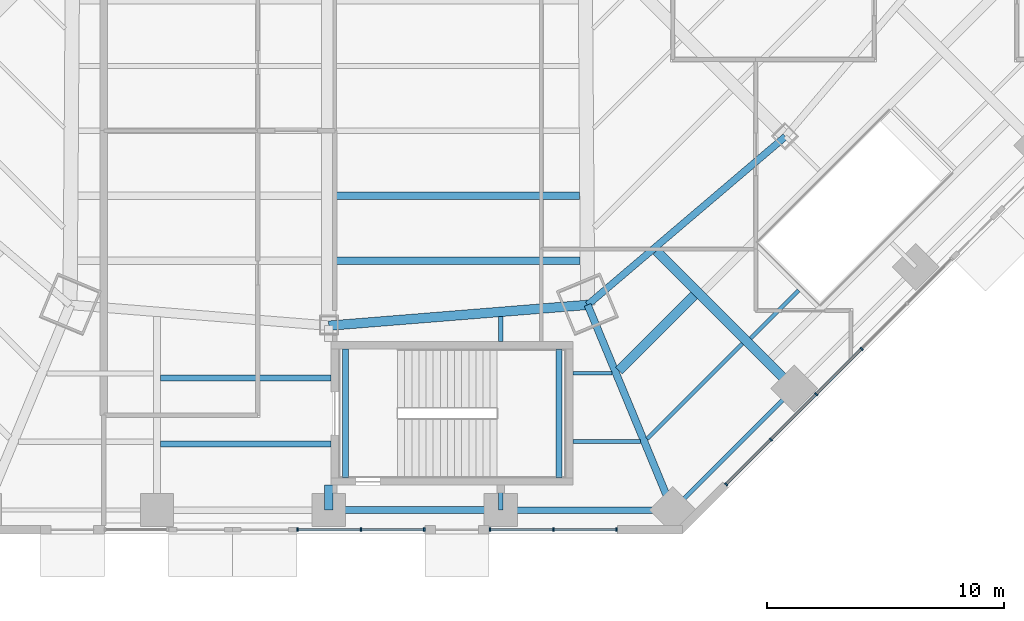
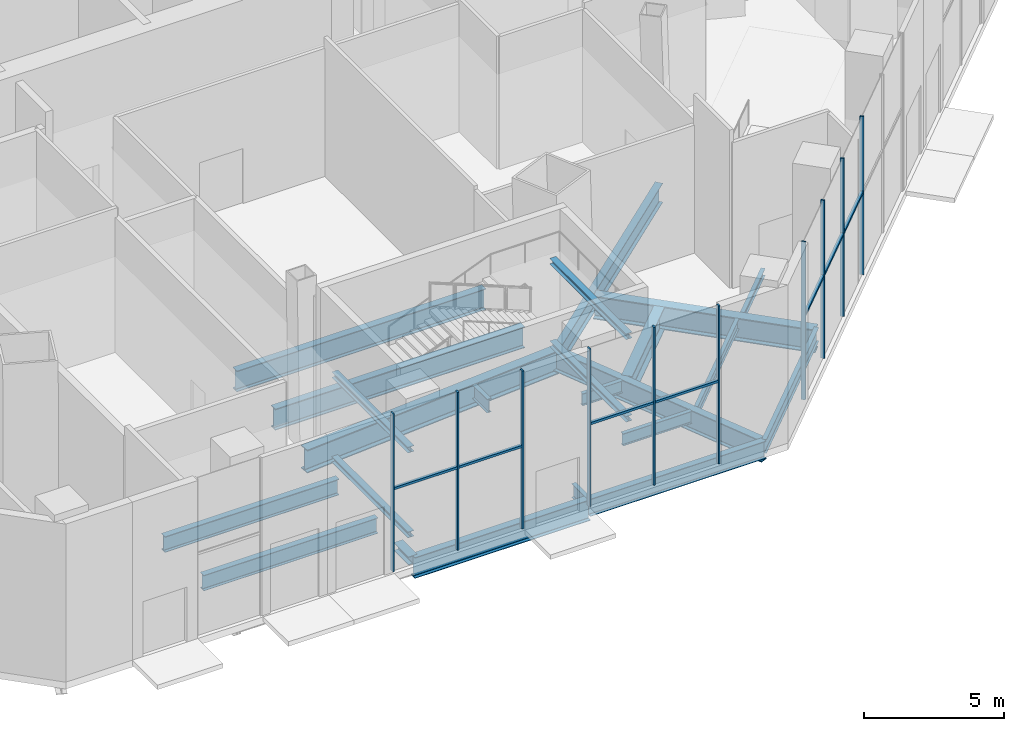
# One storey, part 5 of 35: 21 beams, 19 members, 3 elements without a shape of their own.
"""IFC4 building model written with IfcOpenShell, lengths in metres."""

from ifc_helpers import new_model, si_unit, direction, frame, origin, origin_2d, place, context, subcontext, project, spatial, rectangle, i_section, extrude, source, transform, mapped, material, material_profile, profile_set, type_object, type_shapes, element, aggregate, save


model = new_model("IFC4")

# Units and contexts
model_context = context("Model", 3, precision=1e-05, world=origin(), true_north=direction((0.0, 1.0)))
body_context = subcontext(model_context, "Body", "Model", "MODEL_VIEW")
ifc_project = project(units=[si_unit("LENGTHUNIT", "METRE"), si_unit("AREAUNIT", "SQUARE_METRE"), si_unit("VOLUMEUNIT", "CUBIC_METRE"), si_unit("PLANEANGLEUNIT", "RADIAN"), si_unit("MASSUNIT", "GRAM", prefix="KILO")], contexts=[model_context])

# Site, building, storey
site_placement = place(None, origin())
site = spatial("IfcSite", under=ifc_project, at=site_placement, CompositionType="ELEMENT")
building_placement = place(site_placement, origin())
building = spatial("IfcBuilding", under=site, at=building_placement, Name="Mashrafa Tower", CompositionType="ELEMENT")
storey_placement = place(building_placement, origin())
storey = spatial("IfcBuildingStorey", under=building, at=storey_placement, Name="L00", CompositionType="ELEMENT", Elevation=0.0)

# Beams
ifc_material_1 = material(Name="Steel ASTM A992", Category="steel")
ifc_material_profile_1 = material_profile(ifc_material_1, i_section(OverallWidth=0.164794921875, OverallDepth=0.309814453125, WebThickness=0.005859375, FlangeThickness=0.009765625, FilletRadius=0.007568359375, at=origin_2d()), Name="W12X26")
ifc_profile_set_1 = profile_set([ifc_material_profile_1], Name="Steel ASTM A992")
beam_type_1 = type_object("IfcBeamType", Name="Beam W12X26", PredefinedType="BEAM", material=ifc_profile_set_1)
beam_1_placement = place(storey_placement, frame((19.806884765625, -25.73095703125, -0.454833984375), z_axis=(-0.707106781187, -0.707106781187, 0.0), x_axis=(0.707106781187, -0.707106781187, 0.0)))
element("IfcBeam", 1, at=beam_1_placement, inside=storey, type_object=beam_type_1, Name="Floor beam L00 089", PredefinedType="BEAM", context=body_context, shape_type="SweptSolid", body=[
    extrude(i_section(OverallWidth=0.164794921875, OverallDepth=0.309814453125, WebThickness=0.005859375, FlangeThickness=0.009765625, FilletRadius=0.007568359375, at=origin_2d()), origin(), (0.0, 0.0, 1.0), 2.859130859375),
])
ifc_material_2 = material(Name="Steel ASTM A992", Category="steel")
ifc_material_profile_2 = material_profile(ifc_material_2, i_section(OverallWidth=0.15234375, OverallDepth=0.449462890625, WebThickness=0.007568359375, FlangeThickness=0.0107421875, FilletRadius=0.01025390625, at=origin_2d()), Name="W18X35")
ifc_profile_set_2 = profile_set([ifc_material_profile_2], Name="Steel ASTM A992")
beam_type_2 = type_object("IfcBeamType", Name="Beam W18X35", PredefinedType="BEAM", material=ifc_profile_set_2)
beam_2_placement = place(storey_placement, frame((17.441162109375, -27.976318359375, -0.52490234375), z_axis=(-0.707106781187, -0.707106781187, 0.0), x_axis=(0.707106781187, -0.707106781187, 0.0)))
element("IfcBeam", 2, at=beam_2_placement, inside=storey, type_object=beam_type_2, Name="Floor beam L00 085", PredefinedType="BEAM", context=body_context, shape_type="SweptSolid", body=[
    extrude(i_section(OverallWidth=0.15234375, OverallDepth=0.449462890625, WebThickness=0.007568359375, FlangeThickness=0.0107421875, FilletRadius=0.01025390625, at=origin_2d()), origin(), (0.0, 0.0, 1.0), 5.6865234375),
])
ifc_material_3 = material(Name="Steel ASTM A992", Category="steel")
ifc_material_profile_3 = material_profile(ifc_material_3, i_section(OverallWidth=0.1650390625, OverallDepth=0.52587890625, WebThickness=0.0087890625, FlangeThickness=0.011474609375, FilletRadius=0.0126953125, at=origin_2d()), Name="W21X44")
ifc_profile_set_3 = profile_set([ifc_material_profile_3], Name="Steel ASTM A992")
beam_type_3 = type_object("IfcBeamType", Name="Beam W21X44", PredefinedType="BEAM", material=ifc_profile_set_3)
beam_3_placement = place(storey_placement, frame((11.941162109375, -29.22998046875, -0.56298828125), z_axis=(-1.0, 0.0, 0.0), x_axis=(0.0, -1.0, 0.0)))
element("IfcBeam", 3, at=beam_3_placement, inside=storey, type_object=beam_type_3, Name="Floor beam L00 070", PredefinedType="BEAM", context=body_context, shape_type="SweptSolid", body=[
    extrude(i_section(OverallWidth=0.1650390625, OverallDepth=0.52587890625, WebThickness=0.0087890625, FlangeThickness=0.011474609375, FilletRadius=0.0126953125, at=origin_2d()), origin(), (0.0, 0.0, 1.0), 1.64111328125),
])
beam_4_placement = place(storey_placement, frame((13.13623046875, -32.114990234375, -0.56298828125), z_axis=(-1.0, 0.0, 0.0), x_axis=(0.0, -1.0, 0.0)))
element("IfcBeam", 4, at=beam_4_placement, inside=storey, type_object=beam_type_3, Name="Floor beam L00 074", PredefinedType="BEAM", context=body_context, shape_type="SweptSolid", body=[
    extrude(i_section(OverallWidth=0.1650390625, OverallDepth=0.52587890625, WebThickness=0.0087890625, FlangeThickness=0.011474609375, FilletRadius=0.0126953125, at=origin_2d()), origin(), (0.0, 0.0, 1.0), 2.836181640625),
])
ifc_material_4 = material(Name="Steel ASTM A992", Category="steel")
ifc_material_profile_4 = material_profile(ifc_material_4, i_section(OverallWidth=0.177978515625, OverallDepth=0.599365234375, WebThickness=0.010009765625, FlangeThickness=0.012939453125, FilletRadius=0.012939453125, at=origin_2d()), Name="W24X55")
ifc_profile_set_4 = profile_set([ifc_material_profile_4], Name="Steel ASTM A992")
beam_type_4 = type_object("IfcBeamType", Name="Beam W24X55", PredefinedType="BEAM", material=ifc_profile_set_4)
beam_5_placement = place(storey_placement, frame((14.49755859375, -35.0, -0.599609375), z_axis=(0.707106781187, 0.707106781187, 0.0), x_axis=(-0.707106781187, 0.707106781187, 0.0)))
element("IfcBeam", 5, at=beam_5_placement, inside=storey, type_object=beam_type_4, Name="Podium edge beam L00 127", PredefinedType="BEAM", context=body_context, shape_type="SweptSolid", body=[
    extrude(i_section(OverallWidth=0.177978515625, OverallDepth=0.599365234375, WebThickness=0.010009765625, FlangeThickness=0.012939453125, FilletRadius=0.012939453125, at=origin_2d()), origin(), (0.0, 0.0, 1.0), 7.24853515625),
])
beam_6_placement = place(storey_placement, frame((7.248779296875, -26.841064453125, -0.599609375), z_axis=(0.0, -1.0, 0.0), x_axis=(1.0, 0.0, 0.0)))
element("IfcBeam", 6, at=beam_6_placement, inside=storey, type_object=beam_type_4, Name="Podium radial beam L00 163", PredefinedType="BEAM", context=body_context, shape_type="SweptSolid", body=[
    extrude(i_section(OverallWidth=0.177978515625, OverallDepth=0.599365234375, WebThickness=0.010009765625, FlangeThickness=0.012939453125, FilletRadius=0.012939453125, at=origin_2d()), origin(), (0.0, 0.0, 1.0), 1.058837890625),
])
ifc_material_5 = material(Name="Steel ASTM A992", Category="steel")
ifc_material_profile_5 = material_profile(ifc_material_5, i_section(OverallWidth=0.256591796875, OverallDepth=0.693359375, WebThickness=0.014404296875, FlangeThickness=0.023681640625, FilletRadius=0.01513671875, at=origin_2d()), Name="W27X114")
ifc_profile_set_5 = profile_set([ifc_material_profile_5], Name="Steel ASTM A992")
beam_type_5 = type_object("IfcBeamType", Name="Beam W27X114", PredefinedType="BEAM", material=ifc_profile_set_5)
beam_7_placement = place(storey_placement, frame((0.10009765625, -29.426513671875, -0.646728515625), z_axis=(-1.0, 0.0, 0.0), x_axis=(0.0, -1.0, 0.0)))
element("IfcBeam", 7, at=beam_7_placement, inside=storey, type_object=beam_type_5, Name="Floor beam L00 059", PredefinedType="BEAM", context=body_context, shape_type="SweptSolid", body=[
    extrude(i_section(OverallWidth=0.256591796875, OverallDepth=0.693359375, WebThickness=0.014404296875, FlangeThickness=0.023681640625, FilletRadius=0.01513671875, at=origin_2d()), origin(), (0.0, 0.0, 1.0), 7.195068359375),
])
ifc_material_6 = material(Name="Steel ASTM A992", Category="steel")
ifc_material_profile_6 = material_profile(ifc_material_6, i_section(OverallWidth=0.25390625, OverallDepth=0.67822265625, WebThickness=0.01171875, FlangeThickness=0.016357421875, FilletRadius=0.01513671875, at=origin_2d()), Name="W27X84")
ifc_profile_set_6 = profile_set([ifc_material_profile_6], Name="Steel ASTM A992")
beam_type_6 = type_object("IfcBeamType", Name="Beam W27X84", PredefinedType="BEAM", material=ifc_profile_set_6)
beam_8_placement = place(storey_placement, frame((0.10009765625, -32.21337890625, -0.63916015625), z_axis=(-1.0, 0.0, 0.0), x_axis=(0.0, -1.0, 0.0)))
element("IfcBeam", 8, at=beam_8_placement, inside=storey, type_object=beam_type_6, Name="Floor beam L00 058", PredefinedType="BEAM", context=body_context, shape_type="SweptSolid", body=[
    extrude(i_section(OverallWidth=0.25390625, OverallDepth=0.67822265625, WebThickness=0.01171875, FlangeThickness=0.016357421875, FilletRadius=0.01513671875, at=origin_2d()), origin(), (0.0, 0.0, 1.0), 7.195068359375),
])
ifc_material_7 = material(Name="Steel ASTM A992", Category="steel")
ifc_material_profile_7 = material_profile(ifc_material_7, i_section(OverallWidth=0.2666015625, OverallDepth=0.75439453125, WebThickness=0.01318359375, FlangeThickness=0.01708984375, FilletRadius=0.0166015625, at=origin_2d()), Name="W30X99")
ifc_profile_set_7 = profile_set([ifc_material_profile_7], Name="Steel ASTM A992")
beam_type_7 = type_object("IfcBeamType", Name="Beam W30X99", PredefinedType="BEAM", material=ifc_profile_set_7)
beam_9_placement = place(storey_placement, frame((7.248779296875, -35.0, -0.67724609375), z_axis=(1.0, 0.0, 0.0), x_axis=(0.0, 1.0, 0.0)))
element("IfcBeam", 9, at=beam_9_placement, inside=storey, type_object=beam_type_7, Name="Podium edge beam L00 125", PredefinedType="BEAM", context=body_context, shape_type="SweptSolid", body=[
    extrude(i_section(OverallWidth=0.2666015625, OverallDepth=0.75439453125, WebThickness=0.01318359375, FlangeThickness=0.01708984375, FilletRadius=0.0166015625, at=origin_2d()), origin(), (0.0, 0.0, 1.0), 7.248779296875),
])
ifc_material_8 = material(Name="Steel ASTM A992", Category="steel")
ifc_material_profile_8 = material_profile(ifc_material_8, i_section(OverallWidth=0.2919921875, OverallDepth=0.8408203125, WebThickness=0.0146484375, FlangeThickness=0.021728515625, FilletRadius=0.017333984375, at=origin_2d()), Name="W33X130")
ifc_profile_set_8 = profile_set([ifc_material_profile_8], Name="Steel ASTM A992")
beam_type_8 = type_object("IfcBeamType", Name="Beam W33X130", PredefinedType="BEAM", material=ifc_profile_set_8)
beam_10_placement = place(storey_placement, frame((10.91259765625, -26.344970703125, -0.720458984375), z_axis=(0.76155016236, 0.648105971434, 0.0), x_axis=(-0.648105971434, 0.76155016236, 0.0)))
element("IfcBeam", 10, at=beam_10_placement, inside=storey, type_object=beam_type_8, Name="Podium ring girder L00 190", PredefinedType="BEAM", context=body_context, shape_type="SweptSolid", body=[
    extrude(i_section(OverallWidth=0.2919921875, OverallDepth=0.8408203125, WebThickness=0.0146484375, FlangeThickness=0.021728515625, FilletRadius=0.017333984375, at=origin_2d()), origin(), (0.0, 0.0, 1.0), 10.947509765625),
])
ifc_material_9 = material(Name="Steel ASTM A992", Category="steel")
ifc_material_profile_9 = material_profile(ifc_material_9, i_section(OverallWidth=0.3046875, OverallDepth=0.911865234375, WebThickness=0.015869140625, FlangeThickness=0.02392578125, FilletRadius=0.01904296875, at=origin_2d()), Name="W36X150")
ifc_profile_set_9 = profile_set([ifc_material_profile_9], Name="Steel ASTM A992")
beam_type_9 = type_object("IfcBeamType", Name="Beam W36X150", PredefinedType="BEAM", material=ifc_profile_set_9)
beam_11_placement = place(storey_placement, frame((10.5791015625, -21.748779296875, -0.755859375), z_axis=(-1.0, 0.0, 0.0), x_axis=(0.0, -1.0, 0.0)))
element("IfcBeam", 11, at=beam_11_placement, inside=storey, type_object=beam_type_9, Name="Floor beam L00 067", PredefinedType="BEAM", context=body_context, shape_type="SweptSolid", body=[
    extrude(i_section(OverallWidth=0.3046875, OverallDepth=0.911865234375, WebThickness=0.015869140625, FlangeThickness=0.02392578125, FilletRadius=0.01904296875, at=origin_2d()), origin(), (0.0, 0.0, 1.0), 10.279052734375),
])
beam_12_placement = place(storey_placement, frame((0.0, -35.0, -0.755859375), z_axis=(1.0, 0.0, 0.0), x_axis=(0.0, 1.0, 0.0)))
element("IfcBeam", 12, at=beam_12_placement, inside=storey, type_object=beam_type_9, Name="Podium edge beam L00 123", PredefinedType="BEAM", context=body_context, shape_type="SweptSolid", body=[
    extrude(i_section(OverallWidth=0.3046875, OverallDepth=0.911865234375, WebThickness=0.015869140625, FlangeThickness=0.02392578125, FilletRadius=0.01904296875, at=origin_2d()), origin(), (0.0, 0.0, 1.0), 7.248779296875),
])
ifc_material_10 = material(Name="Steel ASTM A992", Category="steel")
ifc_material_profile_10 = material_profile(ifc_material_10, i_section(OverallWidth=0.307373046875, OverallDepth=0.927001953125, WebThickness=0.01953125, FlangeThickness=0.031982421875, FilletRadius=0.01904296875, at=origin_2d()), Name="W36X194")
ifc_profile_set_10 = profile_set([ifc_material_profile_10], Name="Steel ASTM A992")
beam_type_10 = type_object("IfcBeamType", Name="Beam W36X194", PredefinedType="BEAM", material=ifc_profile_set_10)
beam_13_placement = place(storey_placement, frame((10.59912109375, -24.486083984375, -0.763671875), z_axis=(-1.0, 0.0, 0.0), x_axis=(0.0, -1.0, 0.0)))
element("IfcBeam", 13, at=beam_13_placement, inside=storey, type_object=beam_type_10, Name="Floor beam L00 069", PredefinedType="BEAM", context=body_context, shape_type="SweptSolid", body=[
    extrude(i_section(OverallWidth=0.307373046875, OverallDepth=0.927001953125, WebThickness=0.01953125, FlangeThickness=0.031982421875, FilletRadius=0.01904296875, at=origin_2d()), origin(), (0.0, 0.0, 1.0), 10.299072265625),
])
beam_14_placement = place(storey_placement, frame((10.91259765625, -26.344970703125, -0.763671875), z_axis=(0.382677092737, -0.923882158446, 0.0), x_axis=(0.923882158446, 0.382677092737, 0.0)))
element("IfcBeam", 14, at=beam_14_placement, inside=storey, type_object=beam_type_10, Name="Podium radial beam L00 165", PredefinedType="BEAM", context=body_context, shape_type="SweptSolid", body=[
    extrude(i_section(OverallWidth=0.307373046875, OverallDepth=0.927001953125, WebThickness=0.01953125, FlangeThickness=0.031982421875, FilletRadius=0.01904296875, at=origin_2d()), origin(), (0.0, 0.0, 1.0), 9.3681640625),
])
ifc_material_11 = material(Name="Steel ASTM A992", Category="steel")
ifc_material_profile_11 = material_profile(ifc_material_11, i_section(OverallWidth=0.4013671875, OverallDepth=1.010986328125, WebThickness=0.023681640625, FlangeThickness=0.0419921875, FilletRadius=0.02001953125, at=origin_2d()), Name="W40X297")
ifc_profile_set_11 = profile_set([ifc_material_profile_11], Name="Steel ASTM A992")
beam_type_11 = type_object("IfcBeamType", Name="Beam W40X297", PredefinedType="BEAM", material=ifc_profile_set_11)
beam_15_placement = place(storey_placement, frame((15.401123046875, -25.936279296875, -0.805419921875), z_axis=(-0.707106781187, -0.707106781187, 0.0), x_axis=(0.707106781187, -0.707106781187, 0.0)))
element("IfcBeam", 15, at=beam_15_placement, inside=storey, type_object=beam_type_11, Name="Floor beam L00 098 part 2", PredefinedType="BEAM", context=body_context, shape_type="SweptSolid", body=[
    extrude(i_section(OverallWidth=0.4013671875, OverallDepth=1.010986328125, WebThickness=0.023681640625, FlangeThickness=0.0419921875, FilletRadius=0.02001953125, at=origin_2d()), origin(), (0.0, 0.0, 1.0), 4.49169921875),
])
beam_16_placement = place(storey_placement, frame((13.815185546875, -24.06640625, -0.805419921875), z_axis=(0.707091919289, -0.707121642771, 0.0), x_axis=(0.707121642771, 0.707091919289, 0.0)))
element("IfcBeam", 16, at=beam_16_placement, inside=storey, type_object=beam_type_11, Name="Podium radial beam L00 167", PredefinedType="BEAM", context=body_context, shape_type="SweptSolid", body=[
    extrude(i_section(OverallWidth=0.4013671875, OverallDepth=1.010986328125, WebThickness=0.023681640625, FlangeThickness=0.0419921875, FilletRadius=0.02001953125, at=origin_2d()), origin(), (0.0, 0.0, 1.0), 8.213623046875),
])
beam_17_placement = place(storey_placement, frame((0.0, -27.22314453125, -0.805419921875), z_axis=(0.996777658423, 0.080214086477, 0.0), x_axis=(-0.080214086477, 0.996777658423, 0.0)))
element("IfcBeam", 17, at=beam_17_placement, inside=storey, type_object=beam_type_11, Name="Podium ring girder L00 188", PredefinedType="BEAM", context=body_context, shape_type="SweptSolid", body=[
    extrude(i_section(OverallWidth=0.4013671875, OverallDepth=1.010986328125, WebThickness=0.023681640625, FlangeThickness=0.0419921875, FilletRadius=0.02001953125, at=origin_2d()), origin(), (0.0, 0.0, 1.0), 10.94775390625),
])
ifc_material_12 = material(Name="Steel ASTM A992", Category="steel")
ifc_material_profile_12 = material_profile(ifc_material_12, i_section(OverallWidth=0.25390625, OverallDepth=0.25390625, WebThickness=0.008544921875, FlangeThickness=0.01416015625, FilletRadius=0.010009765625, at=origin_2d()), Name="W10X49")
ifc_profile_set_12 = profile_set([ifc_material_profile_12], Name="Steel ASTM A992")
beam_type_12 = type_object("IfcBeamType", Name="Hoistway beam W10X49", PredefinedType="BEAM", material=ifc_profile_set_12)
for number, where, z_axis, x_axis, name in (
    (18, (0.699951171875, -33.64990234375, -0.427001953125), (0.0, 1.0, 0.0), (-1.0, 0.0, 0.0), "Stair P4 landing beam L00"),
    (19, (9.699951171875, -33.64990234375, 1.472900390625), (0.0, 1.0, 0.0), (-1.0, 0.0, 0.0), "Stair P4 landing beam L00"),
    (20, (0.699951171875, -33.64990234375, 3.27294921875), (0.0, 1.0, 0.0), (-1.0, 0.0, 0.0), "Stair P4 landing beam L00"),
    (21, (9.699951171875, -33.64990234375, 5.072998046875), (0.0, 1.0, 0.0), (-1.0, 0.0, 0.0), "Stair P4 landing beam L00"),
):
    element("IfcBeam", number, at=place(storey_placement, frame(where, z_axis=z_axis, x_axis=x_axis)), inside=storey, type_object=beam_type_12, Name=name, PredefinedType="BEAM", context=body_context, shape_type="SweptSolid", body=[
        extrude(i_section(OverallWidth=0.25390625, OverallDepth=0.25390625, WebThickness=0.008544921875, FlangeThickness=0.01416015625, FilletRadius=0.010009765625, at=origin_2d()), origin(), (0.0, 0.0, 1.0), 5.449951171875),
    ])

# Members
ifc_material_13 = material(Name="Steel ASTM A992", Category="steel")
ifc_material_profile_13 = material_profile(ifc_material_13, i_section(OverallWidth=0.177978515625, OverallDepth=0.599365234375, WebThickness=0.010009765625, FlangeThickness=0.012939453125, FilletRadius=0.012939453125, at=origin_2d()), Name="W24X55")
ifc_profile_set_13 = profile_set([ifc_material_profile_13], Name="Steel ASTM A992")
member_type_1 = type_object("IfcMemberType", Name="Tie strut W24X55", PredefinedType="STRUT", material=ifc_profile_set_13)
shared_shape_1 = source(origin(), body_context, "Body", "SweptSolid", [
    extrude(i_section(OverallWidth=0.177978515625, OverallDepth=0.599365234375, WebThickness=0.010009765625, FlangeThickness=0.012939453125, FilletRadius=0.012939453125, at=origin_2d()), origin(), (0.0, 0.0, 1.0), 1.050048828125),
])
type_shapes(member_type_1, [shared_shape_1])
member_1_placement = place(storey_placement, frame((7.248779296875, -33.949951171875, -0.599609375), z_axis=(0.0, -1.0, 0.0), x_axis=(1.0, 0.0, 0.0)))
element("IfcMember", 22, at=member_1_placement, inside=storey, type_object=member_type_1, Name="Tie strut L00 162", PredefinedType="STRUT", context=body_context, shape_type="MappedRepresentation", body=[
    mapped(shared_shape_1, transform((0.0, 0.0, 0.0))),
])
ifc_material_14 = material(Name="Steel ASTM A992", Category="steel")
ifc_material_profile_14 = material_profile(ifc_material_14, i_section(OverallWidth=0.368408203125, OverallDepth=0.355712890625, WebThickness=0.01123046875, FlangeThickness=0.01806640625, FilletRadius=0.01513671875, at=origin_2d()), Name="W14X90")
ifc_profile_set_14 = profile_set([ifc_material_profile_14], Name="Steel ASTM A992")
member_type_2 = type_object("IfcMemberType", Name="Tie strut W14X90", PredefinedType="STRUT", material=ifc_profile_set_14)
shared_shape_2 = source(origin(), body_context, "Body", "SweptSolid", [
    extrude(i_section(OverallWidth=0.368408203125, OverallDepth=0.355712890625, WebThickness=0.01123046875, FlangeThickness=0.01806640625, FilletRadius=0.01513671875, at=origin_2d()), origin(), (0.0, 0.0, 1.0), 1.050048828125),
])
type_shapes(member_type_2, [shared_shape_2])
member_2_placement = place(storey_placement, frame((0.0, -33.949951171875, -0.477783203125), z_axis=(0.0, -1.0, 0.0), x_axis=(1.0, 0.0, 0.0)))
element("IfcMember", 23, at=member_2_placement, inside=storey, type_object=member_type_2, Name="Tie strut L00 158", PredefinedType="STRUT", context=body_context, shape_type="MappedRepresentation", body=[
    mapped(shared_shape_2, transform((0.0, 0.0, 0.0))),
])

# Curtain wall, members
ifc_material_15 = material(Name="Unitised aluminium curtain wall", Category="aluminium")
curtain_wall_type = type_object("IfcCurtainWallType", Name="Podium storefront CW-P 150 deep", PredefinedType="NOTDEFINED", material=ifc_material_15)
curtain_wall_1_placement = place(storey_placement, origin())
curtain_wall_1 = element("IfcCurtainWall", 24, at=curtain_wall_1_placement, inside=storey, type_object=curtain_wall_type, Name="Podium storefront L00 south part 2", PredefinedType="NOTDEFINED")
ifc_material_16 = material(Name="Extruded aluminium mullion", Category="aluminium")
ifc_material_profile_15 = material_profile(ifc_material_16, rectangle(XDim=0.14990234375, YDim=0.06494140625, at=origin_2d()), Name="Mullion 65x150")
ifc_profile_set_15 = profile_set([ifc_material_profile_15], Name="Extruded aluminium mullion")
member_type_3 = type_object("IfcMemberType", Name="Mullion CW-P 65 x 150", PredefinedType="MULLION", material=ifc_profile_set_15)
shared_shape_3 = source(origin(), body_context, "Body", "SweptSolid", [
    extrude(rectangle(XDim=0.14990234375, YDim=0.06494140625, at=origin_2d()), origin(), (0.0, 0.0, 1.0), 6.89990234375),
])
type_shapes(member_type_3, [shared_shape_3])
member_3_placement = place(storey_placement, frame((-1.3193359375, -35.824951171875, 0.0), z_axis=(0.0, 0.0, 1.0), x_axis=(0.0, 1.0, 0.0)))
member_3 = element("IfcMember", 25, at=member_3_placement, type_object=member_type_3, Name="CW-P mullion 1", PredefinedType="MULLION", context=body_context, shape_type="MappedRepresentation", body=[
    mapped(shared_shape_3, transform((0.0, 0.0, 0.0))),
])
member_4_placement = place(storey_placement, frame((1.351806640625, -35.824951171875, 0.0), z_axis=(0.0, 0.0, 1.0), x_axis=(0.0, 1.0, 0.0)))
member_4 = element("IfcMember", 26, at=member_4_placement, type_object=member_type_3, Name="CW-P mullion 2", PredefinedType="MULLION", context=body_context, shape_type="MappedRepresentation", body=[
    mapped(shared_shape_3, transform((0.0, 0.0, 0.0))),
])
member_5_placement = place(storey_placement, frame((4.02294921875, -35.824951171875, 0.0), z_axis=(0.0, 0.0, 1.0), x_axis=(0.0, 1.0, 0.0)))
member_5 = element("IfcMember", 27, at=member_5_placement, type_object=member_type_3, Name="CW-P mullion 3", PredefinedType="MULLION", context=body_context, shape_type="MappedRepresentation", body=[
    mapped(shared_shape_3, transform((0.0, 0.0, 0.0))),
])

curtain_wall_2_placement = place(storey_placement, origin())
curtain_wall_2 = element("IfcCurtainWall", 28, at=curtain_wall_2_placement, inside=storey, type_object=curtain_wall_type, Name="Podium storefront L00 south part 3", PredefinedType="NOTDEFINED")
member_6_placement = place(storey_placement, frame((6.791748046875, -35.824951171875, 0.0), z_axis=(0.0, 0.0, 1.0), x_axis=(0.0, 1.0, 0.0)))
member_6 = element("IfcMember", 29, at=member_6_placement, type_object=member_type_3, Name="CW-P mullion 1", PredefinedType="MULLION", context=body_context, shape_type="MappedRepresentation", body=[
    mapped(shared_shape_3, transform((0.0, 0.0, 0.0))),
])
member_7_placement = place(storey_placement, frame((9.462890625, -35.824951171875, 0.0), z_axis=(0.0, 0.0, 1.0), x_axis=(0.0, 1.0, 0.0)))
member_7 = element("IfcMember", 30, at=member_7_placement, type_object=member_type_3, Name="CW-P mullion 2", PredefinedType="MULLION", context=body_context, shape_type="MappedRepresentation", body=[
    mapped(shared_shape_3, transform((0.0, 0.0, 0.0))),
])
member_8_placement = place(storey_placement, frame((12.134033203125, -35.824951171875, 0.0), z_axis=(0.0, 0.0, 1.0), x_axis=(0.0, 1.0, 0.0)))
member_8 = element("IfcMember", 31, at=member_8_placement, type_object=member_type_3, Name="CW-P mullion 3", PredefinedType="MULLION", context=body_context, shape_type="MappedRepresentation", body=[
    mapped(shared_shape_3, transform((0.0, 0.0, 0.0))),
])

curtain_wall_3_placement = place(storey_placement, origin())
curtain_wall_3 = element("IfcCurtainWall", 32, at=curtain_wall_3_placement, inside=storey, type_object=curtain_wall_type, Name="Podium storefront L00 south-east part 1", PredefinedType="NOTDEFINED")
member_9_placement = place(storey_placement, frame((16.751953125, -33.912109375, 0.0), z_axis=(0.0, 0.0, 1.0), x_axis=(-0.707106781187, 0.707106781187, 0.0)))
member_9 = element("IfcMember", 33, at=member_9_placement, type_object=member_type_3, Name="CW-P mullion 1", PredefinedType="MULLION", context=body_context, shape_type="MappedRepresentation", body=[
    mapped(shared_shape_3, transform((0.0, 0.0, 0.0))),
])
member_10_placement = place(storey_placement, frame((18.640869140625, -32.0234375, 0.0), z_axis=(0.0, 0.0, 1.0), x_axis=(-0.707106781187, 0.707106781187, 0.0)))
member_10 = element("IfcMember", 34, at=member_10_placement, type_object=member_type_3, Name="CW-P mullion 2", PredefinedType="MULLION", context=body_context, shape_type="MappedRepresentation", body=[
    mapped(shared_shape_3, transform((0.0, 0.0, 0.0))),
])
member_11_placement = place(storey_placement, frame((20.552734375, -30.111572265625, 0.0), z_axis=(0.0, 0.0, 1.0), x_axis=(-0.707106781187, 0.707106781187, 0.0)))
member_11 = element("IfcMember", 35, at=member_11_placement, type_object=member_type_3, Name="CW-P mullion 3", PredefinedType="MULLION", context=body_context, shape_type="MappedRepresentation", body=[
    mapped(shared_shape_3, transform((0.0, 0.0, 0.0))),
])
member_12_placement = place(storey_placement, frame((22.46435546875, -28.19970703125, 0.0), z_axis=(0.0, 0.0, 1.0), x_axis=(-0.707106781187, 0.707106781187, 0.0)))
member_12 = element("IfcMember", 36, at=member_12_placement, type_object=member_type_3, Name="CW-P mullion 4", PredefinedType="MULLION", context=body_context, shape_type="MappedRepresentation", body=[
    mapped(shared_shape_3, transform((0.0, 0.0, 0.0))),
])

# Member
ifc_material_17 = material(Name="Extruded aluminium transom", Category="aluminium")
ifc_material_profile_16 = material_profile(ifc_material_17, rectangle(XDim=0.1201171875, YDim=0.10009765625, at=origin_2d()), Name="Transom 100x120")
ifc_profile_set_16 = profile_set([ifc_material_profile_16], Name="Extruded aluminium transom")
member_type_4 = type_object("IfcMemberType", Name="Transom CW-P 100 x 120", PredefinedType="MULLION", material=ifc_profile_set_16)
shared_shape_4 = source(origin(), body_context, "Body", "SweptSolid", [
    extrude(rectangle(XDim=0.1201171875, YDim=0.10009765625, at=origin_2d()), origin(), (0.0, 0.0, 1.0), 2.606201171875),
])
member_13_placement = place(storey_placement, frame((-1.286865234375, -35.824951171875, 3.60009765625), z_axis=(1.0, 0.0, 0.0), x_axis=(0.0, 1.0, 0.0)))
member_13 = element("IfcMember", 37, at=member_13_placement, type_object=member_type_4, Name="CW-P transom 1", PredefinedType="MULLION", context=body_context, shape_type="MappedRepresentation", body=[
    mapped(shared_shape_4, transform((0.0, 0.0, 0.0))),
])

member_14_placement = place(storey_placement, frame((1.38427734375, -35.824951171875, 3.60009765625), z_axis=(1.0, 0.0, 0.0), x_axis=(0.0, 1.0, 0.0)))
member_14 = element("IfcMember", 38, at=member_14_placement, type_object=member_type_4, Name="CW-P transom 2", PredefinedType="MULLION", context=body_context, shape_type="MappedRepresentation", body=[
    mapped(shared_shape_4, transform((0.0, 0.0, 0.0))),
])

aggregate(curtain_wall_1, [member_3, member_4, member_5, member_13, member_14])

member_15_placement = place(storey_placement, frame((6.82421875, -35.824951171875, 3.60009765625), z_axis=(1.0, 0.0, 0.0), x_axis=(0.0, 1.0, 0.0)))
member_15 = element("IfcMember", 39, at=member_15_placement, type_object=member_type_4, Name="CW-P transom 1", PredefinedType="MULLION", context=body_context, shape_type="MappedRepresentation", body=[
    mapped(shared_shape_4, transform((0.0, 0.0, 0.0))),
])

member_16_placement = place(storey_placement, frame((9.495361328125, -35.824951171875, 3.60009765625), z_axis=(1.0, 0.0, 0.0), x_axis=(0.0, 1.0, 0.0)))
member_16 = element("IfcMember", 40, at=member_16_placement, type_object=member_type_4, Name="CW-P transom 2", PredefinedType="MULLION", context=body_context, shape_type="MappedRepresentation", body=[
    mapped(shared_shape_4, transform((0.0, 0.0, 0.0))),
])

aggregate(curtain_wall_2, [member_6, member_7, member_8, member_15, member_16])

member_17_placement = place(storey_placement, frame((16.77490234375, -33.88916015625, 3.60009765625), z_axis=(0.707153617204, 0.707059942066, 0.0), x_axis=(-0.707059942066, 0.707153617204, 0.0)))
member_17 = element("IfcMember", 41, at=member_17_placement, type_object=member_type_4, Name="CW-P transom 1", PredefinedType="MULLION", context=body_context, shape_type="MappedRepresentation", body=[
    mapped(shared_shape_4, transform((0.0, 0.0, 0.0))),
])

shared_shape_5 = source(origin(), body_context, "Body", "SweptSolid", [
    extrude(rectangle(XDim=0.1201171875, YDim=0.10009765625, at=origin_2d()), origin(), (0.0, 0.0, 1.0), 2.638671875),
])
type_shapes(member_type_4, [shared_shape_4, shared_shape_5])
member_18_placement = place(storey_placement, frame((18.663818359375, -32.00048828125, 3.60009765625), z_axis=(0.707060518189, 0.707153041157, 0.0), x_axis=(-0.707153041157, 0.707060518189, 0.0)))
member_18 = element("IfcMember", 42, at=member_18_placement, type_object=member_type_4, Name="CW-P transom 2", PredefinedType="MULLION", context=body_context, shape_type="MappedRepresentation", body=[
    mapped(shared_shape_5, transform((0.0, 0.0, 0.0))),
])

member_19_placement = place(storey_placement, frame((20.57568359375, -30.088623046875, 3.60009765625), z_axis=(0.707060518189, 0.707153041157, 0.0), x_axis=(-0.707153041157, 0.707060518189, 0.0)))
member_19 = element("IfcMember", 43, at=member_19_placement, type_object=member_type_4, Name="CW-P transom 3", PredefinedType="MULLION", context=body_context, shape_type="MappedRepresentation", body=[
    mapped(shared_shape_5, transform((0.0, 0.0, 0.0))),
])

aggregate(curtain_wall_3, [member_9, member_10, member_11, member_12, member_17, member_18, member_19])

save(model, "model.ifc")
